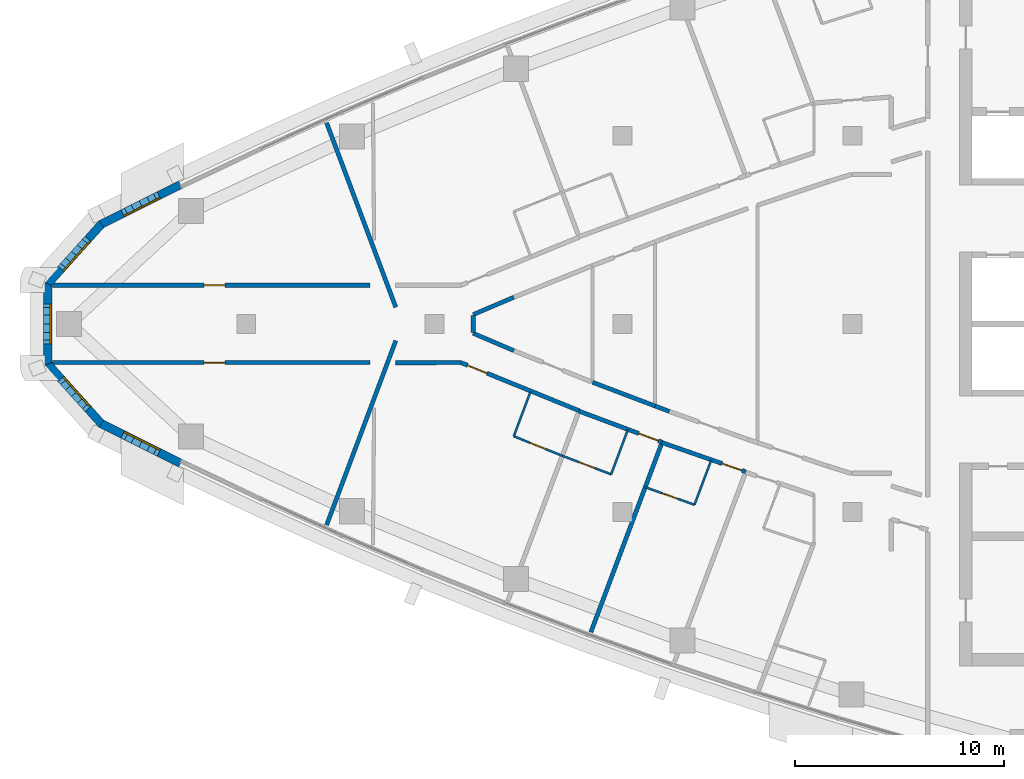
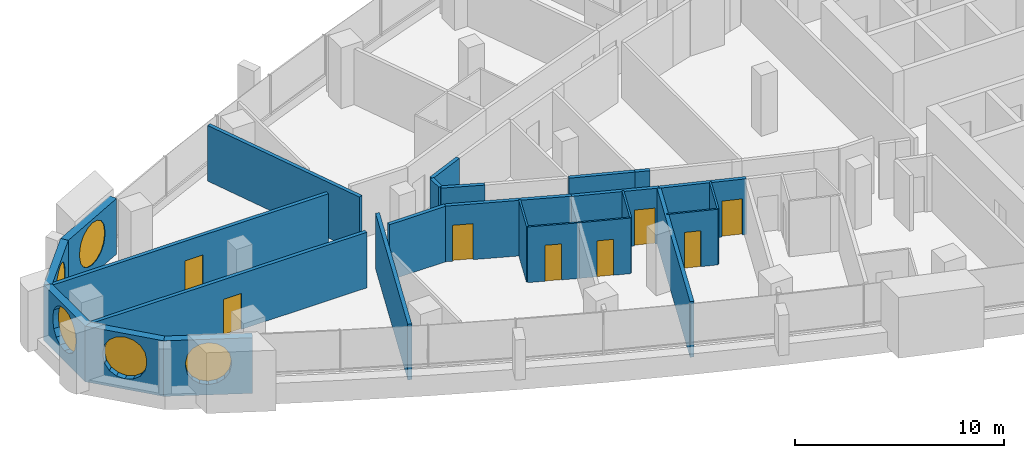
# One storey, part 8 of 16: 25 walls, 8 doors, 5 windows, 13 openings.
"""IFC4 building model written with IfcOpenShell, lengths in metres."""

from ifc_helpers import new_model, si_unit, direction, frame, frame_2d, origin, place, context, subcontext, project, spatial, polyline, rectangle, outline, extrude, material, layer, layer_set, type_object, element, fill, save


model = new_model("IFC4")

# Units and contexts
model_context = context("Model", 3, precision=1e-05, world=origin(), true_north=direction((0.0, 1.0)))
body_context = subcontext(model_context, "Body", "Model", "MODEL_VIEW")
ifc_project = project(units=[si_unit("LENGTHUNIT", "METRE"), si_unit("AREAUNIT", "SQUARE_METRE"), si_unit("VOLUMEUNIT", "CUBIC_METRE"), si_unit("PLANEANGLEUNIT", "RADIAN"), si_unit("MASSUNIT", "GRAM", prefix="KILO")], contexts=[model_context])

# Site, building, storey
site_placement = place(None, origin())
site = spatial("IfcSite", under=ifc_project, at=site_placement, CompositionType="ELEMENT")
building_placement = place(site_placement, origin())
building = spatial("IfcBuilding", under=site, at=building_placement, Name="Ostrand Prow Hotel Tower", CompositionType="ELEMENT")
storey_placement = place(building_placement, frame((0.0, 0.0, 220.800048828125)))
storey = spatial("IfcBuildingStorey", under=building, at=storey_placement, Name="L55", CompositionType="ELEMENT", Elevation=220.800048828125)

# Wall
ifc_material_1 = material(Name="Plasterboard partition")
ifc_layer_1 = layer(ifc_material_1, 0.10009765625)
ifc_layer_set_1 = layer_set([ifc_layer_1], Name="Plasterboard partition")
wall_type_1 = type_object("IfcWallType", Name="Partition 100 bathroom wall", PredefinedType="PARTITIONING", material=ifc_layer_set_1)
wall_1_placement = place(storey_placement, frame((28.792724609375, -5.371337890625, 0.0), z_axis=(0.0, 0.0, 1.0), x_axis=(0.351158682313, 0.936315961541, 0.0)))
element("IfcWall", 1, at=wall_1_placement, inside=storey, type_object=wall_type_1, Name="BATHROOM WALL", PredefinedType="PARTITIONING", context=body_context, shape_type="SweptSolid", body=[
    extrude(rectangle(XDim=2.277587890625, YDim=0.10009765625, at=frame_2d((1.138671875, 0.0))), origin(), (0.0, 0.0, 1.0), 3.25),
])

# Wall, opening, door
wall_2_placement = place(storey_placement, frame((31.112548828125, -6.3056640625, 0.0), z_axis=(0.0, 0.0, 1.0), x_axis=(-0.92761232595, 0.373544338394, 0.0)))
wall_2 = element("IfcWall", 2, at=wall_2_placement, inside=storey, type_object=wall_type_1, Name="BATHROOM WALL", PredefinedType="PARTITIONING", context=body_context, shape_type="SweptSolid", body=[
    extrude(rectangle(XDim=2.50048828125, YDim=0.10009765625, at=frame_2d((1.250244140625, 0.0))), origin(), (0.0, 0.0, 1.0), 3.25),
])
opening_1_placement = place(wall_2_placement, frame((0.85009765625, 0.0, 0.0)))
opening_1 = element("IfcOpeningElement", 3, at=opening_1_placement, cuts=wall_2, Name="Opening D2", PredefinedType="OPENING", context=body_context, shape_type="SweptSolid", body=[
    extrude(rectangle(XDim=0.800048828125, YDim=2.10009765625, at=frame_2d((0.39990234375, 1.050048828125))), frame((0.0, 0.06005859375, 0.0), z_axis=(0.0, -1.0, 0.0), x_axis=(1.0, 0.0, 0.0)), (0.0, 0.0, 1.0), 0.1201171875),
])
ifc_material_2 = material(Name="Timber door leaf", Category="wood")
door_type_1 = type_object("IfcDoorType", Name="Bathroom door 800", OperationType="SINGLE_SWING_LEFT", PredefinedType="DOOR", material=ifc_material_2)
door_1_placement = place(opening_1_placement, origin())
door_1 = element("IfcDoor", 4, at=door_1_placement, inside=storey, type_object=door_type_1, Name="DOOR", OperationType="SINGLE_SWING_LEFT", OverallHeight=2.10009765625, OverallWidth=0.800048828125, PredefinedType="DOOR", context=body_context, shape_type="SweptSolid", body=[
    extrude(rectangle(XDim=0.800048828125, YDim=2.10009765625, at=frame_2d((0.39990234375, 1.050048828125))), frame((0.0, 0.02490234375, 0.0), z_axis=(0.0, -1.0, 0.0), x_axis=(1.0, 0.0, 0.0)), (0.0, 0.0, 1.0), 0.050048828125),
])
fill(opening_1, door_1)

# Wall
wall_3_placement = place(storey_placement, frame((34.24951171875, -5.060546875, 0.0), z_axis=(0.0, 0.0, 1.0), x_axis=(-0.351135191353, -0.936324771323, 0.0)))
element("IfcWall", 5, at=wall_3_placement, inside=storey, type_object=wall_type_1, Name="BATHROOM WALL", PredefinedType="PARTITIONING", context=body_context, shape_type="SweptSolid", body=[
    extrude(rectangle(XDim=2.277099609375, YDim=0.10009765625, at=frame_2d((1.138671875, 0.0))), origin(), (0.0, 0.0, 1.0), 3.25),
])

# Wall, opening, door
wall_4_placement = place(storey_placement, frame((33.44970703125, -7.192626953125, 0.0), z_axis=(0.0, 0.0, 1.0), x_axis=(-0.93495051617, 0.354778145202, 0.0)))
wall_4 = element("IfcWall", 6, at=wall_4_placement, inside=storey, type_object=wall_type_1, Name="BATHROOM WALL", PredefinedType="PARTITIONING", context=body_context, shape_type="SweptSolid", body=[
    extrude(rectangle(XDim=2.49462890625, YDim=0.10009765625, at=frame_2d((1.247314453125, 0.0))), origin(), (0.0, 0.0, 1.0), 3.25),
])
opening_2_placement = place(wall_4_placement, frame((0.85009765625, 0.0, 0.0)))
opening_2 = element("IfcOpeningElement", 7, at=opening_2_placement, cuts=wall_4, Name="Opening D2", PredefinedType="OPENING", context=body_context, shape_type="SweptSolid", body=[
    extrude(rectangle(XDim=0.800048828125, YDim=2.10009765625, at=frame_2d((0.39990234375, 1.050048828125))), frame((0.0, 0.06005859375, 0.0), z_axis=(0.0, -1.0, 0.0), x_axis=(1.0, 0.0, 0.0)), (0.0, 0.0, 1.0), 0.1201171875),
])
door_2_placement = place(opening_2_placement, origin())
door_2 = element("IfcDoor", 8, at=door_2_placement, inside=storey, type_object=door_type_1, Name="DOOR", OperationType="SINGLE_SWING_LEFT", OverallHeight=2.10009765625, OverallWidth=0.800048828125, PredefinedType="DOOR", context=body_context, shape_type="SweptSolid", body=[
    extrude(rectangle(XDim=0.800048828125, YDim=2.10009765625, at=frame_2d((0.39990234375, 1.050048828125))), frame((0.0, 0.02490234375, 0.0), z_axis=(0.0, -1.0, 0.0), x_axis=(1.0, 0.0, 0.0)), (0.0, 0.0, 1.0), 0.050048828125),
])
fill(opening_2, door_2)

# Wall
wall_5_placement = place(storey_placement, frame((38.236083984375, -6.515625, 0.0), z_axis=(0.0, 0.0, 1.0), x_axis=(-0.351229183496, -0.936289517543, 0.0)))
element("IfcWall", 9, at=wall_5_placement, inside=storey, type_object=wall_type_1, Name="BATHROOM WALL", PredefinedType="PARTITIONING", context=body_context, shape_type="SweptSolid", body=[
    extrude(rectangle(XDim=2.277099609375, YDim=0.10009765625, at=frame_2d((1.138671875, 0.0))), origin(), (0.0, 0.0, 1.0), 3.25),
])

# Wall, opening, door
wall_6_placement = place(storey_placement, frame((37.436279296875, -8.64794921875, 0.0), z_axis=(0.0, 0.0, 1.0), x_axis=(-0.941896455552, 0.335903359641, 0.0)))
wall_6 = element("IfcWall", 10, at=wall_6_placement, inside=storey, type_object=wall_type_1, Name="BATHROOM WALL", PredefinedType="PARTITIONING", context=body_context, shape_type="SweptSolid", body=[
    extrude(rectangle(XDim=2.500244140625, YDim=0.10009765625, at=frame_2d((1.25, 0.0))), origin(), (0.0, 0.0, 1.0), 3.25),
])
opening_3_placement = place(wall_6_placement, frame((0.85009765625, 0.0, 0.0)))
opening_3 = element("IfcOpeningElement", 11, at=opening_3_placement, cuts=wall_6, Name="Opening D2", PredefinedType="OPENING", context=body_context, shape_type="SweptSolid", body=[
    extrude(rectangle(XDim=0.800048828125, YDim=2.10009765625, at=frame_2d((0.39990234375, 1.050048828125))), frame((0.0, 0.06005859375, 0.0), z_axis=(0.0, -1.0, 0.0), x_axis=(1.0, 0.0, 0.0)), (0.0, 0.0, 1.0), 0.1201171875),
])
door_3_placement = place(opening_3_placement, origin())
door_3 = element("IfcDoor", 12, at=door_3_placement, inside=storey, type_object=door_type_1, Name="DOOR", OperationType="SINGLE_SWING_LEFT", OverallHeight=2.10009765625, OverallWidth=0.800048828125, PredefinedType="DOOR", context=body_context, shape_type="SweptSolid", body=[
    extrude(rectangle(XDim=0.800048828125, YDim=2.10009765625, at=frame_2d((0.39990234375, 1.050048828125))), frame((0.0, 0.02490234375, 0.0), z_axis=(0.0, -1.0, 0.0), x_axis=(1.0, 0.0, 0.0)), (0.0, 0.0, 1.0), 0.050048828125),
])
fill(opening_3, door_3)

ifc_material_3 = material(Name="Plasterboard partition")
ifc_layer_2 = layer(ifc_material_3, 0.199951171875)
ifc_layer_set_2 = layer_set([ifc_layer_2], Name="Plasterboard partition")
wall_type_2 = type_object("IfcWallType", Name="Partition 200 corridor wall", PredefinedType="PARTITIONING", material=ifc_layer_set_2)
wall_7_placement = place(storey_placement, frame((6.724609375, 1.85009765625, 0.0), z_axis=(0.0, 0.0, 1.0), x_axis=(1.0, 0.0, 0.0)))
wall_7 = element("IfcWall", 13, at=wall_7_placement, inside=storey, type_object=wall_type_2, Name="CORRIDOR WALL", PredefinedType="PARTITIONING", context=body_context, shape_type="SweptSolid", body=[
    extrude(rectangle(XDim=15.187744140625, YDim=0.199951171875, at=frame_2d((7.59375, 0.0))), origin(), (0.0, 0.0, 1.0), 3.25),
])
opening_4_placement = place(wall_7_placement, frame((7.257080078125, 0.0, 0.0)))
opening_4 = element("IfcOpeningElement", 14, at=opening_4_placement, cuts=wall_7, Name="Opening D1", PredefinedType="OPENING", context=body_context, shape_type="SweptSolid", body=[
    extrude(rectangle(XDim=1.0, YDim=2.10009765625, at=frame_2d((0.5, 1.050048828125))), frame((0.0, 0.10986328125, 0.0), z_axis=(0.0, -1.0, 0.0), x_axis=(1.0, 0.0, 0.0)), (0.0, 0.0, 1.0), 0.219970703125),
])
ifc_material_4 = material(Name="Timber door leaf", Category="wood")
door_type_2 = type_object("IfcDoorType", Name="Guest room door 1000", OperationType="SINGLE_SWING_LEFT", PredefinedType="DOOR", material=ifc_material_4)
door_4_placement = place(opening_4_placement, origin())
door_4 = element("IfcDoor", 15, at=door_4_placement, inside=storey, type_object=door_type_2, Name="DOOR", OperationType="SINGLE_SWING_LEFT", OverallHeight=2.10009765625, OverallWidth=1.0, PredefinedType="DOOR", context=body_context, shape_type="SweptSolid", body=[
    extrude(rectangle(XDim=1.0, YDim=2.10009765625, at=frame_2d((0.5, 1.050048828125))), frame((0.0, 0.02490234375, 0.0), z_axis=(0.0, -1.0, 0.0), x_axis=(1.0, 0.0, 0.0)), (0.0, 0.0, 1.0), 0.050048828125),
])
fill(opening_4, door_4)

wall_8_placement = place(storey_placement, frame((6.724609375, -1.85009765625, 0.0), z_axis=(0.0, 0.0, 1.0), x_axis=(1.0, 0.0, 0.0)))
wall_8 = element("IfcWall", 16, at=wall_8_placement, inside=storey, type_object=wall_type_2, Name="CORRIDOR WALL", PredefinedType="PARTITIONING", context=body_context, shape_type="SweptSolid", body=[
    extrude(rectangle(XDim=15.187744140625, YDim=0.199951171875, at=frame_2d((7.59375, 0.0))), origin(), (0.0, 0.0, 1.0), 3.25),
])
opening_5_placement = place(wall_8_placement, frame((7.257080078125, 0.0, 0.0)))
opening_5 = element("IfcOpeningElement", 17, at=opening_5_placement, cuts=wall_8, Name="Opening D1R", PredefinedType="OPENING", context=body_context, shape_type="SweptSolid", body=[
    extrude(rectangle(XDim=1.0, YDim=2.10009765625, at=frame_2d((0.5, 1.050048828125))), frame((0.0, 0.10986328125, 0.0), z_axis=(0.0, -1.0, 0.0), x_axis=(1.0, 0.0, 0.0)), (0.0, 0.0, 1.0), 0.219970703125),
])
ifc_material_5 = material(Name="Timber door leaf", Category="wood")
door_type_3 = type_object("IfcDoorType", Name="Guest room door 1000 right", OperationType="SINGLE_SWING_RIGHT", PredefinedType="DOOR", material=ifc_material_5)
door_5_placement = place(opening_5_placement, origin())
door_5 = element("IfcDoor", 18, at=door_5_placement, inside=storey, type_object=door_type_3, Name="DOOR", OperationType="SINGLE_SWING_RIGHT", OverallHeight=2.10009765625, OverallWidth=1.0, PredefinedType="DOOR", context=body_context, shape_type="SweptSolid", body=[
    extrude(rectangle(XDim=1.0, YDim=2.10009765625, at=frame_2d((0.5, 1.050048828125))), frame((0.0, 0.02490234375, 0.0), z_axis=(0.0, -1.0, 0.0), x_axis=(1.0, 0.0, 0.0)), (0.0, 0.0, 1.0), 0.050048828125),
])
fill(opening_5, door_5)

wall_9_placement = place(storey_placement, frame((26.265869140625, -1.85009765625, 0.0), z_axis=(0.0, 0.0, 1.0), x_axis=(0.926231512449, -0.376955150311, 0.0)))
wall_9 = element("IfcWall", 19, at=wall_9_placement, inside=storey, type_object=wall_type_2, Name="CORRIDOR WALL", PredefinedType="PARTITIONING", context=body_context, shape_type="SweptSolid", body=[
    extrude(rectangle(XDim=6.10498046875, YDim=0.199951171875, at=frame_2d((3.052490234375, 0.0))), origin(), (0.0, 0.0, 1.0), 3.25),
])
opening_6_placement = place(wall_9_placement, frame((0.35009765625, 0.0, 0.0)))
opening_6 = element("IfcOpeningElement", 20, at=opening_6_placement, cuts=wall_9, Name="Opening D1", PredefinedType="OPENING", context=body_context, shape_type="SweptSolid", body=[
    extrude(rectangle(XDim=1.0, YDim=2.10009765625, at=frame_2d((0.5, 1.050048828125))), frame((0.0, 0.10986328125, 0.0), z_axis=(0.0, -1.0, 0.0), x_axis=(1.0, 0.0, 0.0)), (0.0, 0.0, 1.0), 0.219970703125),
])
door_6_placement = place(opening_6_placement, origin())
door_6 = element("IfcDoor", 21, at=door_6_placement, inside=storey, type_object=door_type_2, Name="DOOR", OperationType="SINGLE_SWING_LEFT", OverallHeight=2.10009765625, OverallWidth=1.0, PredefinedType="DOOR", context=body_context, shape_type="SweptSolid", body=[
    extrude(rectangle(XDim=1.0, YDim=2.10009765625, at=frame_2d((0.5, 1.050048828125))), frame((0.0, 0.02490234375, 0.0), z_axis=(0.0, -1.0, 0.0), x_axis=(1.0, 0.0, 0.0)), (0.0, 0.0, 1.0), 0.050048828125),
])
fill(opening_6, door_6)

wall_10_placement = place(storey_placement, frame((31.913330078125, -4.170166015625, 0.0), z_axis=(0.0, 0.0, 1.0), x_axis=(0.936848300955, -0.349735987565, 0.0)))
wall_10 = element("IfcWall", 22, at=wall_10_placement, inside=storey, type_object=wall_type_2, Name="CORRIDOR WALL", PredefinedType="PARTITIONING", context=body_context, shape_type="SweptSolid", body=[
    extrude(rectangle(XDim=4.24365234375, YDim=0.199951171875, at=frame_2d((2.121826171875, 0.0))), origin(), (0.0, 0.0, 1.0), 3.25),
])
opening_7_placement = place(wall_10_placement, frame((3.050048828125, 0.0, 0.0)))
opening_7 = element("IfcOpeningElement", 23, at=opening_7_placement, cuts=wall_10, Name="Opening D1", PredefinedType="OPENING", context=body_context, shape_type="SweptSolid", body=[
    extrude(rectangle(XDim=1.0, YDim=2.10009765625, at=frame_2d((0.5, 1.050048828125))), frame((0.0, 0.10986328125, 0.0), z_axis=(0.0, -1.0, 0.0), x_axis=(1.0, 0.0, 0.0)), (0.0, 0.0, 1.0), 0.219970703125),
])
door_7_placement = place(opening_7_placement, origin())
door_7 = element("IfcDoor", 24, at=door_7_placement, inside=storey, type_object=door_type_2, Name="DOOR", OperationType="SINGLE_SWING_LEFT", OverallHeight=2.10009765625, OverallWidth=1.0, PredefinedType="DOOR", context=body_context, shape_type="SweptSolid", body=[
    extrude(rectangle(XDim=1.0, YDim=2.10009765625, at=frame_2d((0.5, 1.050048828125))), frame((0.0, 0.02490234375, 0.0), z_axis=(0.0, -1.0, 0.0), x_axis=(1.0, 0.0, 0.0)), (0.0, 0.0, 1.0), 0.050048828125),
])
fill(opening_7, door_7)

wall_11_placement = place(storey_placement, frame((35.882080078125, -5.673095703125, 0.0), z_axis=(0.0, 0.0, 1.0), x_axis=(0.944107376821, -0.329638075823, 0.0)))
wall_11 = element("IfcWall", 25, at=wall_11_placement, inside=storey, type_object=wall_type_2, Name="CORRIDOR WALL", PredefinedType="PARTITIONING", context=body_context, shape_type="SweptSolid", body=[
    extrude(rectangle(XDim=4.24462890625, YDim=0.199951171875, at=frame_2d((2.122314453125, 0.0))), origin(), (0.0, 0.0, 1.0), 3.25),
])
opening_8_placement = place(wall_11_placement, frame((3.050048828125, 0.0, 0.0)))
opening_8 = element("IfcOpeningElement", 26, at=opening_8_placement, cuts=wall_11, Name="Opening D1", PredefinedType="OPENING", context=body_context, shape_type="SweptSolid", body=[
    extrude(rectangle(XDim=1.0, YDim=2.10009765625, at=frame_2d((0.5, 1.050048828125))), frame((0.0, 0.10986328125, 0.0), z_axis=(0.0, -1.0, 0.0), x_axis=(1.0, 0.0, 0.0)), (0.0, 0.0, 1.0), 0.219970703125),
])
door_8_placement = place(opening_8_placement, origin())
door_8 = element("IfcDoor", 27, at=door_8_placement, inside=storey, type_object=door_type_2, Name="DOOR", OperationType="SINGLE_SWING_LEFT", OverallHeight=2.10009765625, OverallWidth=1.0, PredefinedType="DOOR", context=body_context, shape_type="SweptSolid", body=[
    extrude(rectangle(XDim=1.0, YDim=2.10009765625, at=frame_2d((0.5, 1.050048828125))), frame((0.0, 0.02490234375, 0.0), z_axis=(0.0, -1.0, 0.0), x_axis=(1.0, 0.0, 0.0)), (0.0, 0.0, 1.0), 0.050048828125),
])
fill(opening_8, door_8)

# Walls
for number, where, z_axis, x_axis, name in (
    (28, (28.795654296875, -1.276123046875, 0.0), (0.0, 0.0, 1.0), (-0.91990756443, 0.392135273732, 0.0), "CORRIDOR WALL"),
    (29, (26.85009765625, 0.44677734375, 0.0), (0.0, 0.0, 1.0), (0.91990756443, 0.392135273732, 0.0), "CORRIDOR WALL"),
):
    element("IfcWall", number, at=place(storey_placement, frame(where, z_axis=z_axis, x_axis=x_axis)), inside=storey, type_object=wall_type_2, Name=name, PredefinedType="PARTITIONING", context=body_context, shape_type="SweptSolid", body=[
        extrude(rectangle(XDim=2.114990234375, YDim=0.199951171875, at=frame_2d((1.0576171875, 0.0))), origin(), (0.0, 0.0, 1.0), 3.25),
    ])
wall_12_placement = place(storey_placement, frame((35.556396484375, -3.927490234375, 0.0), z_axis=(0.0, 0.0, 1.0), x_axis=(-0.934971422854, 0.354723044706, 0.0)))
element("IfcWall", 30, at=wall_12_placement, inside=storey, type_object=wall_type_2, Name="CORRIDOR WALL", PredefinedType="PARTITIONING", context=body_context, shape_type="SweptSolid", body=[
    extrude(rectangle(XDim=3.208740234375, YDim=0.199951171875, at=frame_2d((1.6044921875, 0.0))), origin(), (0.0, 0.0, 1.0), 3.25),
])
wall_13_placement = place(storey_placement, frame((36.236328125, -4.185546875, 0.0), z_axis=(0.0, 0.0, 1.0), x_axis=(-0.934928414106, 0.354836385533, 0.0)))
element("IfcWall", 31, at=wall_13_placement, inside=storey, type_object=wall_type_2, Name="CORRIDOR WALL", PredefinedType="PARTITIONING", context=body_context, shape_type="SweptSolid", body=[
    extrude(rectangle(XDim=0.727294921875, YDim=0.199951171875, at=frame_2d((0.36376953125, 0.0))), origin(), (0.0, 0.0, 1.0), 3.25),
])
wall_14_placement = place(storey_placement, frame((26.85498046875, -0.406982421875, 0.0), z_axis=(0.0, 0.0, 1.0), x_axis=(0.0, 1.0, 0.0)))
element("IfcWall", 32, at=wall_14_placement, inside=storey, type_object=wall_type_2, Name="CORRIDOR WALL", PredefinedType="PARTITIONING", context=body_context, shape_type="SweptSolid", body=[
    extrude(rectangle(XDim=0.81396484375, YDim=0.199951171875, at=frame_2d((0.406982421875, 0.0))), origin(), (0.0, 0.0, 1.0), 3.25),
])
wall_15_placement = place(storey_placement, frame((23.148193359375, -1.8544921875, 0.0), z_axis=(0.0, 0.0, 1.0), x_axis=(0.999999006581, 0.001409552241, 0.0)))
element("IfcWall", 33, at=wall_15_placement, inside=storey, type_object=wall_type_2, Name="CORRIDOR WALL", PredefinedType="PARTITIONING", context=body_context, shape_type="SweptSolid", body=[
    extrude(rectangle(XDim=3.11767578125, YDim=0.199951171875, at=frame_2d((1.558837890625, 0.0))), origin(), (0.0, 0.0, 1.0), 3.25),
])
ifc_material_6 = material(Name="Plasterboard partition")
ifc_layer_3 = layer(ifc_material_6, 0.199951171875)
ifc_layer_set_3 = layer_set([ifc_layer_3], Name="Plasterboard partition")
wall_type_3 = type_object("IfcWallType", Name="Partition 200 key partition", PredefinedType="PARTITIONING", material=ifc_layer_set_3)
for number, where, z_axis, x_axis, name in (
    (34, (23.14990234375, 0.800048828125, 0.0), (0.0, 0.0, 1.0), (-0.351123441588, 0.936329177569, 0.0), "KEY PARTITION"),
    (35, (19.84375, -9.616455078125, 0.0), (0.0, 0.0, 1.0), (0.351123441588, 0.936329177569, 0.0), "KEY PARTITION"),
):
    element("IfcWall", number, at=place(storey_placement, frame(where, z_axis=z_axis, x_axis=x_axis)), inside=storey, type_object=wall_type_3, Name=name, PredefinedType="PARTITIONING", context=body_context, shape_type="SweptSolid", body=[
        extrude(rectangle(XDim=9.416015625, YDim=0.199951171875, at=frame_2d((4.7080078125, 0.0))), origin(), (0.0, 0.0, 1.0), 3.25),
    ])
wall_16_placement = place(storey_placement, frame((32.482666015625, -14.73779296875, 0.0), z_axis=(0.0, 0.0, 1.0), x_axis=(0.351117925717, 0.936331246002, 0.0)))
element("IfcWall", 36, at=wall_16_placement, inside=storey, type_object=wall_type_3, Name="KEY PARTITION", PredefinedType="PARTITIONING", context=body_context, shape_type="SweptSolid", body=[
    extrude(rectangle(XDim=9.701171875, YDim=0.199951171875, at=frame_2d((4.8505859375, 0.0))), origin(), (0.0, 0.0, 1.0), 3.25),
])

# Wall, opening, window
ifc_material_7 = material(Name="Precast concrete C40/50", Category="concrete")
ifc_layer_4 = layer(ifc_material_7, 0.39990234375)
ifc_layer_set_4 = layer_set([ifc_layer_4], Name="Precast concrete C40/50")
wall_type_4 = type_object("IfcWallType", Name="Stone-faced precast wall 400 mm", PredefinedType="NOTDEFINED", material=ifc_layer_set_4)
wall_17_placement = place(storey_placement, frame((12.849365234375, 6.66064453125, 0.0), z_axis=(0.0, 0.0, 1.0), x_axis=(-0.894554263274, -0.446959360634, 0.0)))
wall_17 = element("IfcWall", 37, at=wall_17_placement, inside=storey, type_object=wall_type_4, Name="Stone-faced wall prow 1", PredefinedType="NOTDEFINED", context=body_context, shape_type="SweptSolid", body=[
    extrude(outline(polyline([(0.0, -0.199951171875), (4.263671875, -0.199951171875), (4.1875, 0.199951171875), (0.0, 0.199951171875), (0.0, -0.199951171875)])), origin(), (0.0, 0.0, 1.0), 3.25),
])
opening_9_placement = place(wall_17_placement, frame((1.012939453125, 0.0, 0.60009765625)))
opening_9 = element("IfcOpeningElement", 38, at=opening_9_placement, cuts=wall_17, Name="Opening WP1", PredefinedType="OPENING", context=body_context, shape_type="SweptSolid", body=[
    extrude(outline(polyline([(0.0, 1.35009765625), (0.083740234375, 1.77099609375), (0.322265625, 2.127685546875), (0.678955078125, 2.3662109375), (1.10009765625, 2.449951171875), (1.52099609375, 2.3662109375), (1.877685546875, 2.127685546875), (2.1162109375, 1.77099609375), (2.199951171875, 1.35009765625), (2.199951171875, 1.10009765625), (2.1162109375, 0.678955078125), (1.877685546875, 0.322265625), (1.52099609375, 0.083740234375), (1.10009765625, 0.0), (0.678955078125, 0.083740234375), (0.322265625, 0.322265625), (0.083740234375, 0.678955078125), (0.0, 1.099853515625), (0.0, 1.35009765625)])), frame((0.0, 0.2099609375, 0.0), z_axis=(0.0, -1.0, 0.0), x_axis=(1.0, 0.0, 0.0)), (0.0, 0.0, 1.0), 0.419921875),
])
ifc_material_8 = material(Name="Insulated glass in bronze frame", Category="glass")
window_type = type_object("IfcWindowType", Name="Round-ended prow window 2200x2450", PartitioningType="SINGLE_PANEL", PredefinedType="WINDOW", material=ifc_material_8)
window_1_placement = place(opening_9_placement, origin())
window_1 = element("IfcWindow", 39, at=window_1_placement, inside=storey, type_object=window_type, Name="Window prow 1.1", OverallHeight=2.449951171875, OverallWidth=2.199951171875, PartitioningType="SINGLE_PANEL", PredefinedType="WINDOW", context=body_context, shape_type="SweptSolid", body=[
    extrude(outline(polyline([(0.0, 1.35009765625), (0.083740234375, 1.77099609375), (0.322265625, 2.127685546875), (0.678955078125, 2.3662109375), (1.10009765625, 2.449951171875), (1.52099609375, 2.3662109375), (1.877685546875, 2.127685546875), (2.1162109375, 1.77099609375), (2.199951171875, 1.35009765625), (2.199951171875, 1.10009765625), (2.1162109375, 0.678955078125), (1.877685546875, 0.322265625), (1.52099609375, 0.083740234375), (1.10009765625, 0.0), (0.678955078125, 0.083740234375), (0.322265625, 0.322265625), (0.083740234375, 0.678955078125), (0.0, 1.099853515625), (0.0, 1.35009765625)])), frame((0.0, 0.169921875, 0.0), z_axis=(0.0, -1.0, 0.0), x_axis=(1.0, 0.0, 0.0)), (0.0, 0.0, 1.0), 0.06005859375),
])
fill(opening_9, window_1)

wall_18_placement = place(storey_placement, frame((9.0693359375, 4.77197265625, 0.0), z_axis=(0.0, 0.0, 1.0), x_axis=(-0.668018215058, -0.744144921605, 0.0)))
wall_18 = element("IfcWall", 40, at=wall_18_placement, inside=storey, type_object=wall_type_4, Name="Stone-faced wall prow 2", PredefinedType="NOTDEFINED", context=body_context, shape_type="SweptSolid", body=[
    extrude(outline(polyline([(-0.0380859375, -0.199951171875), (3.912353515625, -0.199951171875), (3.759033203125, 0.199951171875), (0.0380859375, 0.199951171875), (-0.0380859375, -0.199951171875)])), origin(), (0.0, 0.0, 1.0), 3.25),
])
opening_10_placement = place(wall_18_placement, frame((0.81787109375, 0.0, 0.60009765625)))
opening_10 = element("IfcOpeningElement", 41, at=opening_10_placement, cuts=wall_18, Name="Opening WP1", PredefinedType="OPENING", context=body_context, shape_type="SweptSolid", body=[
    extrude(outline(polyline([(0.0, 1.35009765625), (0.083740234375, 1.77099609375), (0.322265625, 2.127685546875), (0.678955078125, 2.3662109375), (1.10009765625, 2.449951171875), (1.52099609375, 2.3662109375), (1.877685546875, 2.127685546875), (2.1162109375, 1.77099609375), (2.199951171875, 1.35009765625), (2.199951171875, 1.10009765625), (2.1162109375, 0.678955078125), (1.877685546875, 0.322265625), (1.52099609375, 0.083740234375), (1.10009765625, 0.0), (0.678955078125, 0.083740234375), (0.322265625, 0.322265625), (0.083740234375, 0.678955078125), (0.0, 1.099853515625), (0.0, 1.35009765625)])), frame((0.0, 0.2099609375, 0.0), z_axis=(0.0, -1.0, 0.0), x_axis=(1.0, 0.0, 0.0)), (0.0, 0.0, 1.0), 0.419921875),
])
window_2_placement = place(opening_10_placement, origin())
window_2 = element("IfcWindow", 42, at=window_2_placement, inside=storey, type_object=window_type, Name="Window prow 2.1", OverallHeight=2.449951171875, OverallWidth=2.199951171875, PartitioningType="SINGLE_PANEL", PredefinedType="WINDOW", context=body_context, shape_type="SweptSolid", body=[
    extrude(outline(polyline([(0.0, 1.35009765625), (0.083740234375, 1.77099609375), (0.322265625, 2.127685546875), (0.678955078125, 2.3662109375), (1.10009765625, 2.449951171875), (1.52099609375, 2.3662109375), (1.877685546875, 2.127685546875), (2.1162109375, 1.77099609375), (2.199951171875, 1.35009765625), (2.199951171875, 1.10009765625), (2.1162109375, 0.678955078125), (1.877685546875, 0.322265625), (1.52099609375, 0.083740234375), (1.10009765625, 0.0), (0.678955078125, 0.083740234375), (0.322265625, 0.322265625), (0.083740234375, 0.678955078125), (0.0, 1.099853515625), (0.0, 1.35009765625)])), frame((0.0, 0.169921875, 0.0), z_axis=(0.0, -1.0, 0.0), x_axis=(1.0, 0.0, 0.0)), (0.0, 0.0, 1.0), 0.06005859375),
])
fill(opening_10, window_2)

wall_19_placement = place(storey_placement, frame((6.507080078125, 1.917724609375, 0.0), z_axis=(0.0, 0.0, 1.0), x_axis=(0.0, -1.0, 0.0)))
wall_19 = element("IfcWall", 43, at=wall_19_placement, inside=storey, type_object=wall_type_4, Name="Stone-faced wall prow 3", PredefinedType="NOTDEFINED", context=body_context, shape_type="SweptSolid", body=[
    extrude(outline(polyline([(-0.07666015625, -0.199951171875), (3.912109375, -0.199951171875), (3.7587890625, 0.199951171875), (0.07666015625, 0.199951171875), (-0.07666015625, -0.199951171875)])), origin(), (0.0, 0.0, 1.0), 3.25),
])
opening_11_placement = place(wall_19_placement, frame((0.81787109375, 0.0, 0.60009765625)))
opening_11 = element("IfcOpeningElement", 44, at=opening_11_placement, cuts=wall_19, Name="Opening WP1", PredefinedType="OPENING", context=body_context, shape_type="SweptSolid", body=[
    extrude(outline(polyline([(0.0, 1.35009765625), (0.083740234375, 1.77099609375), (0.322265625, 2.127685546875), (0.678955078125, 2.3662109375), (1.10009765625, 2.449951171875), (1.52099609375, 2.3662109375), (1.877685546875, 2.127685546875), (2.1162109375, 1.77099609375), (2.199951171875, 1.35009765625), (2.199951171875, 1.10009765625), (2.1162109375, 0.678955078125), (1.877685546875, 0.322265625), (1.52099609375, 0.083740234375), (1.10009765625, 0.0), (0.678955078125, 0.083740234375), (0.322265625, 0.322265625), (0.083740234375, 0.678955078125), (0.0, 1.099853515625), (0.0, 1.35009765625)])), frame((0.0, 0.2099609375, 0.0), z_axis=(0.0, -1.0, 0.0), x_axis=(1.0, 0.0, 0.0)), (0.0, 0.0, 1.0), 0.419921875),
])
window_3_placement = place(opening_11_placement, origin())
window_3 = element("IfcWindow", 45, at=window_3_placement, inside=storey, type_object=window_type, Name="Window prow 3.1", OverallHeight=2.449951171875, OverallWidth=2.199951171875, PartitioningType="SINGLE_PANEL", PredefinedType="WINDOW", context=body_context, shape_type="SweptSolid", body=[
    extrude(outline(polyline([(0.0, 1.35009765625), (0.083740234375, 1.77099609375), (0.322265625, 2.127685546875), (0.678955078125, 2.3662109375), (1.10009765625, 2.449951171875), (1.52099609375, 2.3662109375), (1.877685546875, 2.127685546875), (2.1162109375, 1.77099609375), (2.199951171875, 1.35009765625), (2.199951171875, 1.10009765625), (2.1162109375, 0.678955078125), (1.877685546875, 0.322265625), (1.52099609375, 0.083740234375), (1.10009765625, 0.0), (0.678955078125, 0.083740234375), (0.322265625, 0.322265625), (0.083740234375, 0.678955078125), (0.0, 1.099853515625), (0.0, 1.35009765625)])), frame((0.0, 0.169921875, 0.0), z_axis=(0.0, -1.0, 0.0), x_axis=(1.0, 0.0, 0.0)), (0.0, 0.0, 1.0), 0.06005859375),
])
fill(opening_11, window_3)

wall_20_placement = place(storey_placement, frame((6.507080078125, -1.917724609375, 0.0), z_axis=(0.0, 0.0, 1.0), x_axis=(0.668018215058, -0.744144921605, 0.0)))
wall_20 = element("IfcWall", 46, at=wall_20_placement, inside=storey, type_object=wall_type_4, Name="Stone-faced wall prow 4", PredefinedType="NOTDEFINED", context=body_context, shape_type="SweptSolid", body=[
    extrude(outline(polyline([(-0.07666015625, -0.199951171875), (3.873779296875, -0.199951171875), (3.797607421875, 0.199951171875), (0.07666015625, 0.199951171875), (-0.07666015625, -0.199951171875)])), origin(), (0.0, 0.0, 1.0), 3.25),
])
opening_12_placement = place(wall_20_placement, frame((0.81787109375, 0.0, 0.60009765625)))
opening_12 = element("IfcOpeningElement", 47, at=opening_12_placement, cuts=wall_20, Name="Opening WP1", PredefinedType="OPENING", context=body_context, shape_type="SweptSolid", body=[
    extrude(outline(polyline([(0.0, 1.35009765625), (0.083740234375, 1.77099609375), (0.322265625, 2.127685546875), (0.678955078125, 2.3662109375), (1.10009765625, 2.449951171875), (1.52099609375, 2.3662109375), (1.877685546875, 2.127685546875), (2.1162109375, 1.77099609375), (2.199951171875, 1.35009765625), (2.199951171875, 1.10009765625), (2.1162109375, 0.678955078125), (1.877685546875, 0.322265625), (1.52099609375, 0.083740234375), (1.10009765625, 0.0), (0.678955078125, 0.083740234375), (0.322265625, 0.322265625), (0.083740234375, 0.678955078125), (0.0, 1.099853515625), (0.0, 1.35009765625)])), frame((0.0, 0.2099609375, 0.0), z_axis=(0.0, -1.0, 0.0), x_axis=(1.0, 0.0, 0.0)), (0.0, 0.0, 1.0), 0.419921875),
])
window_4_placement = place(opening_12_placement, origin())
window_4 = element("IfcWindow", 48, at=window_4_placement, inside=storey, type_object=window_type, Name="Window prow 4.1", OverallHeight=2.449951171875, OverallWidth=2.199951171875, PartitioningType="SINGLE_PANEL", PredefinedType="WINDOW", context=body_context, shape_type="SweptSolid", body=[
    extrude(outline(polyline([(0.0, 1.35009765625), (0.083740234375, 1.77099609375), (0.322265625, 2.127685546875), (0.678955078125, 2.3662109375), (1.10009765625, 2.449951171875), (1.52099609375, 2.3662109375), (1.877685546875, 2.127685546875), (2.1162109375, 1.77099609375), (2.199951171875, 1.35009765625), (2.199951171875, 1.10009765625), (2.1162109375, 0.678955078125), (1.877685546875, 0.322265625), (1.52099609375, 0.083740234375), (1.10009765625, 0.0), (0.678955078125, 0.083740234375), (0.322265625, 0.322265625), (0.083740234375, 0.678955078125), (0.0, 1.099853515625), (0.0, 1.35009765625)])), frame((0.0, 0.169921875, 0.0), z_axis=(0.0, -1.0, 0.0), x_axis=(1.0, 0.0, 0.0)), (0.0, 0.0, 1.0), 0.06005859375),
])
fill(opening_12, window_4)

wall_21_placement = place(storey_placement, frame((9.0693359375, -4.77197265625, 0.0), z_axis=(0.0, 0.0, 1.0), x_axis=(0.894554263274, -0.446959360634, 0.0)))
wall_21 = element("IfcWall", 49, at=wall_21_placement, inside=storey, type_object=wall_type_4, Name="Stone-faced wall prow 5", PredefinedType="NOTDEFINED", context=body_context, shape_type="SweptSolid", body=[
    extrude(outline(polyline([(-0.0380859375, -0.199951171875), (4.2255859375, -0.199951171875), (4.2255859375, 0.199951171875), (0.0380859375, 0.199951171875), (-0.0380859375, -0.199951171875)])), origin(), (0.0, 0.0, 1.0), 3.25),
])
opening_13_placement = place(wall_21_placement, frame((1.012939453125, 0.0, 0.60009765625)))
opening_13 = element("IfcOpeningElement", 50, at=opening_13_placement, cuts=wall_21, Name="Opening WP1", PredefinedType="OPENING", context=body_context, shape_type="SweptSolid", body=[
    extrude(outline(polyline([(0.0, 1.35009765625), (0.083740234375, 1.77099609375), (0.322265625, 2.127685546875), (0.678955078125, 2.3662109375), (1.10009765625, 2.449951171875), (1.52099609375, 2.3662109375), (1.877685546875, 2.127685546875), (2.1162109375, 1.77099609375), (2.199951171875, 1.35009765625), (2.199951171875, 1.10009765625), (2.1162109375, 0.678955078125), (1.877685546875, 0.322265625), (1.52099609375, 0.083740234375), (1.10009765625, 0.0), (0.678955078125, 0.083740234375), (0.322265625, 0.322265625), (0.083740234375, 0.678955078125), (0.0, 1.099853515625), (0.0, 1.35009765625)])), frame((0.0, 0.2099609375, 0.0), z_axis=(0.0, -1.0, 0.0), x_axis=(1.0, 0.0, 0.0)), (0.0, 0.0, 1.0), 0.419921875),
])
window_5_placement = place(opening_13_placement, origin())
window_5 = element("IfcWindow", 51, at=window_5_placement, inside=storey, type_object=window_type, Name="Window prow 5.1", OverallHeight=2.449951171875, OverallWidth=2.199951171875, PartitioningType="SINGLE_PANEL", PredefinedType="WINDOW", context=body_context, shape_type="SweptSolid", body=[
    extrude(outline(polyline([(0.0, 1.35009765625), (0.083740234375, 1.77099609375), (0.322265625, 2.127685546875), (0.678955078125, 2.3662109375), (1.10009765625, 2.449951171875), (1.52099609375, 2.3662109375), (1.877685546875, 2.127685546875), (2.1162109375, 1.77099609375), (2.199951171875, 1.35009765625), (2.199951171875, 1.10009765625), (2.1162109375, 0.678955078125), (1.877685546875, 0.322265625), (1.52099609375, 0.083740234375), (1.10009765625, 0.0), (0.678955078125, 0.083740234375), (0.322265625, 0.322265625), (0.083740234375, 0.678955078125), (0.0, 1.099853515625), (0.0, 1.35009765625)])), frame((0.0, 0.169921875, 0.0), z_axis=(0.0, -1.0, 0.0), x_axis=(1.0, 0.0, 0.0)), (0.0, 0.0, 1.0), 0.06005859375),
])
fill(opening_13, window_5)

save(model, "model.ifc")
